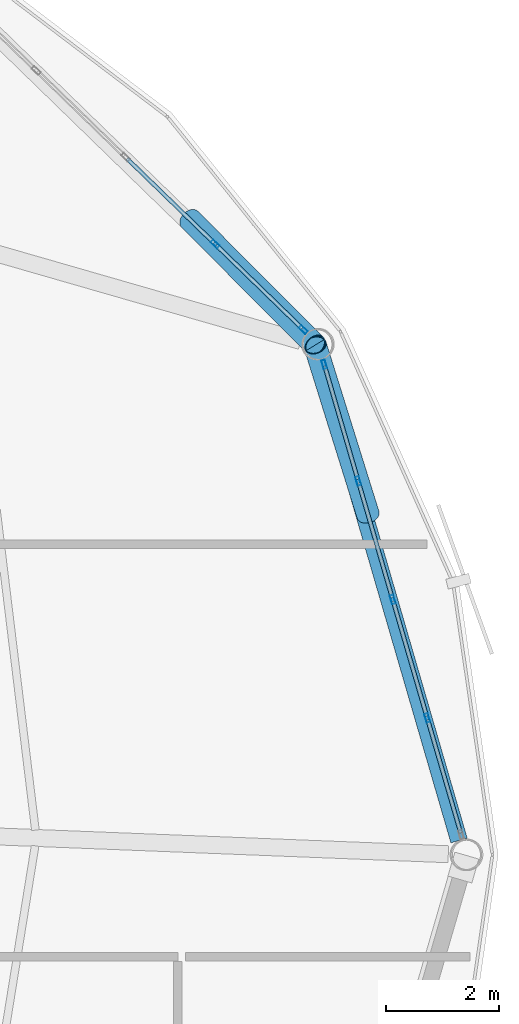
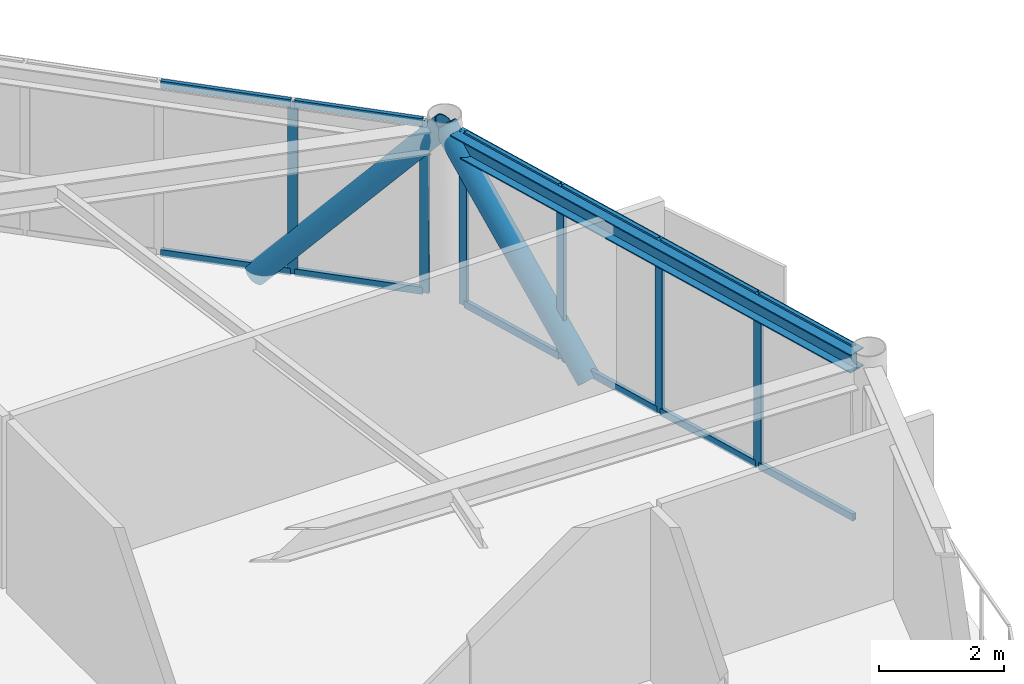
# One storey, part 17 of 27: 20 members, 1 beam, 2 elements without a shape of their own.
"""IFC4 building model written with IfcOpenShell, lengths in metres."""

import ifcopenshell
import ifcopenshell.guid

model = None  # the IFC model being written
_history = None  # IfcOwnerHistory: only IFC2X3 demands one
_inside = {}  # id of a spatial element -> (the spatial element, [elements in it])
_under = {}  # id of a project, library or spatial element -> (it, [spatial elements below it])
_declared = {}  # id of a project -> (the project, [libraries it declares])
_typed = {}  # id of a type object -> (the type object, [elements of that type])
_made_of = {}  # id of a material, layer set ... -> (it, [elements and type objects made of it])


def new_model(schema):
    """Start an empty IFC model of exactly this schema.

    Asked for "IFC4X3", IfcOpenShell would pick the latest addendum, in which some entities
    have other attributes; the version numbers below select the first issue.
    IFC2X3 requires an IfcOwnerHistory on every rooted entity: one is made here for all.
    """
    global model, _history
    if schema == "IFC4X3":
        model = ifcopenshell.file(schema_version=(4, 3, 0, 0))
    else:
        model = ifcopenshell.file(schema=schema)
    _inside.clear()
    _under.clear()
    _declared.clear()
    _typed.clear()
    _made_of.clear()
    _history = None
    if model.schema == "IFC2X3":
        org = make("IfcOrganization", Name="unknown")
        user = make(
            "IfcPersonAndOrganization",
            ThePerson=make("IfcPerson", FamilyName="unknown"),
            TheOrganization=org,
        )
        app = make(
            "IfcApplication",
            ApplicationDeveloper=org,
            Version="unknown",
            ApplicationFullName="unknown",
            ApplicationIdentifier="unknown",
        )
        _history = make(
            "IfcOwnerHistory",
            OwningUser=user,
            OwningApplication=app,
            ChangeAction="ADDED",
            CreationDate=0,
        )
    return model


def make(cls, **values):
    """One entity of the class cls with the attributes given. An attribute that is None is left unset."""
    return model.create_entity(
        cls, **{name: value for name, value in values.items() if value is not None}
    )


def rooted(cls, **values):
    """An entity with a GlobalId (a new one), such as an element, a storey or a relation."""
    return make(cls, GlobalId=ifcopenshell.guid.new(), OwnerHistory=_history, **values)


def si_unit(unit_type, name, prefix=None):
    """IfcSIUnit, for example si_unit("LENGTHUNIT", "METRE", prefix="MILLI")."""
    return make("IfcSIUnit", UnitType=unit_type, Prefix=prefix, Name=name)


def assignment(units):
    """IfcUnitAssignment: the units of a project."""
    return None if units is None else make("IfcUnitAssignment", Units=units)


def point(xyz):
    """IfcCartesianPoint."""
    return None if xyz is None else make("IfcCartesianPoint", Coordinates=xyz)


def direction(xyz):
    """IfcDirection."""
    return None if xyz is None else make("IfcDirection", DirectionRatios=xyz)


def frame(location, z_axis=None, x_axis=None):
    """IfcAxis2Placement3D, a coordinate frame: its origin and axes. An axis left out is left unset."""
    return make(
        "IfcAxis2Placement3D",
        Location=point(location),
        Axis=direction(z_axis),
        RefDirection=direction(x_axis),
    )


def frame_2d(location, x_axis=None):
    """IfcAxis2Placement2D, a coordinate frame in the plane: its origin and x axis."""
    return make(
        "IfcAxis2Placement2D", Location=point(location), RefDirection=direction(x_axis)
    )


def origin():
    """The frame at (0, 0, 0) with its axes left unset."""
    return frame((0.0, 0.0, 0.0))


def origin_2d():
    """The frame at (0, 0) in the plane with its x axis left unset."""
    return frame_2d((0.0, 0.0))


def place(relative_to, where):
    """IfcLocalPlacement: puts the frame where relative to a parent placement (None: the world)."""
    return make(
        "IfcLocalPlacement", PlacementRelTo=relative_to, RelativePlacement=where
    )


def context(
    kind, dimensions, precision=None, world=None, true_north=None, identifier=None
):
    """IfcGeometricRepresentationContext, for example the 3D "Model" context."""
    return make(
        "IfcGeometricRepresentationContext",
        ContextIdentifier=identifier,
        ContextType=kind,
        CoordinateSpaceDimension=dimensions,
        Precision=precision,
        WorldCoordinateSystem=world,
        TrueNorth=true_north,
    )


def subcontext(parent, identifier, kind, view, scale=None):
    """IfcGeometricRepresentationSubContext, for example "Body" below "Model"."""
    return make(
        "IfcGeometricRepresentationSubContext",
        ContextIdentifier=identifier,
        ContextType=kind,
        ParentContext=parent,
        TargetScale=scale,
        TargetView=view,
    )


def project(units=None, contexts=None):
    """IfcProject with its units and contexts."""
    return rooted(
        "IfcProject",
        Name="project",
        RepresentationContexts=contexts,
        UnitsInContext=assignment(units),
    )


def spatial(cls, under=None, at=None, **own):
    """A site, building, storey or space (cls), placed at a placement, below another one or the project."""
    s = rooted(cls, ObjectPlacement=at, **own)
    if under is not None:
        _under.setdefault(under.id(), (under, []))[1].append(s)
    return s


def profile(cls, at=None, kind="AREA", **sizes):
    """A parametric profile (cls). Its sizes go by their IFC names, for example OverallWidth=200.0."""
    return make(cls, ProfileType=kind, Position=at, **sizes)


def hollow_rectangle(**sizes):
    """IfcRectangleHollowProfileDef."""
    return profile("IfcRectangleHollowProfileDef", **sizes)


def hollow_circle(**sizes):
    """IfcCircleHollowProfileDef."""
    return profile("IfcCircleHollowProfileDef", **sizes)


def i_section(**sizes):
    """IfcIShapeProfileDef."""
    return profile("IfcIShapeProfileDef", **sizes)


def extrude(swept, where, along, depth):
    """IfcExtrudedAreaSolid: the profile swept, set in the frame where, extruded along a direction by depth."""
    return make(
        "IfcExtrudedAreaSolid",
        SweptArea=swept,
        Position=where,
        ExtrudedDirection=direction(along),
        Depth=depth,
    )


def shape(context_of_items, identifier, shape_type, items):
    """IfcShapeRepresentation: the items that make up one representation, for example the "Body"."""
    return make(
        "IfcShapeRepresentation",
        ContextOfItems=context_of_items,
        RepresentationIdentifier=identifier,
        RepresentationType=shape_type,
        Items=items,
    )


def material(Name=None, Category=None):
    """IfcMaterial."""
    return make("IfcMaterial", Name=Name, Category=Category)


def layer(
    of_material, thickness, ventilated=None, Name=None, Category=None, Priority=None
):
    """IfcMaterialLayer: one layer of a wall or slab, of a material (None: an air gap)."""
    return make(
        "IfcMaterialLayer",
        Material=of_material,
        LayerThickness=thickness,
        IsVentilated=ventilated,
        Name=Name,
        Category=Category,
        Priority=Priority,
    )


def layer_set(layers, Name=None):
    """IfcMaterialLayerSet."""
    return make("IfcMaterialLayerSet", MaterialLayers=layers, LayerSetName=Name)


def material_profile(
    of_material, cross_section, Name=None, Category=None, Priority=None
):
    """IfcMaterialProfile: a cross section and its material."""
    return make(
        "IfcMaterialProfile",
        Name=Name,
        Material=of_material,
        Profile=cross_section,
        Priority=Priority,
        Category=Category,
    )


def profile_set(profiles, Name=None, composite=None):
    """IfcMaterialProfileSet."""
    return make(
        "IfcMaterialProfileSet",
        Name=Name,
        MaterialProfiles=profiles,
        CompositeProfile=composite,
    )


def made_of(thing, what):
    """Note that an element or type object is made of a material, layer set ...; save() writes the relation."""
    if what is not None:
        _made_of.setdefault(what.id(), (what, []))[1].append(thing)
    return thing


def type_object(cls, material=None, **own):
    """A type object (cls), such as IfcWallType, which elements share."""
    return made_of(rooted(cls, **own), material)


def element(
    cls,
    number,
    at=None,
    inside=None,
    cuts=None,
    type_object=None,
    material=None,
    context=None,
    identifier="Body",
    shape_type=None,
    held_by="IfcProductDefinitionShape",
    body=None,
    shapes=None,
    **own,
):
    """One element of the class cls, such as IfcWall. Its Tag is "e" and its number.

    at: its placement. inside: the storey or other place that contains it. cuts: it is an
    opening in that element (IfcRelVoidsElement). A single representation is given by context,
    identifier, shape_type and body (its items); several are given by shapes. held_by: the class
    of the entity that holds the representations. save() writes the other relations.
    """
    e = rooted(cls, Tag="e%d" % number, ObjectPlacement=at, **own)
    if body is not None:
        shapes = [shape(context, identifier, shape_type, body)]
    if shapes is not None:
        e.Representation = make(held_by, Representations=shapes)
    if inside is not None:
        _inside.setdefault(inside.id(), (inside, []))[1].append(e)
    if cuts is not None:
        rooted(
            "IfcRelVoidsElement", RelatingBuildingElement=cuts, RelatedOpeningElement=e
        )
    if type_object is not None:
        _typed.setdefault(type_object.id(), (type_object, []))[1].append(e)
    return made_of(e, material)


def aggregate(whole, parts):
    """IfcRelAggregates: a whole, such as a stair, and the parts it consists of."""
    return rooted("IfcRelAggregates", RelatingObject=whole, RelatedObjects=parts)


def save(model, path):
    """Write the relations noted so far, then the file.

    IfcRelAggregates (storeys below a building ...), IfcRelContainedInSpatialStructure (elements
    in a storey), IfcRelDefinesByType, IfcRelAssociatesMaterial and IfcRelDeclares: one each for
    every whole, place, type object, material and project.
    """
    for whole, parts in _under.values():
        aggregate(whole, parts)
    for where, things in _inside.values():
        rooted(
            "IfcRelContainedInSpatialStructure",
            RelatedElements=things,
            RelatingStructure=where,
        )
    for kind, things in _typed.values():
        rooted("IfcRelDefinesByType", RelatedObjects=things, RelatingType=kind)
    for what, things in _made_of.values():
        rooted("IfcRelAssociatesMaterial", RelatedObjects=things, RelatingMaterial=what)
    for by, libraries in _declared.values():
        rooted("IfcRelDeclares", RelatingContext=by, RelatedDefinitions=libraries)
    model.write(path)


model = new_model("IFC4")

# Units and contexts
model_context = context("Model", 3, precision=1e-05, world=origin(), true_north=direction((0.0, 1.0)))
body_context = subcontext(model_context, "Body", "Model", "MODEL_VIEW")
ifc_project = project(units=[si_unit("LENGTHUNIT", "METRE"), si_unit("AREAUNIT", "SQUARE_METRE"), si_unit("VOLUMEUNIT", "CUBIC_METRE"), si_unit("PLANEANGLEUNIT", "RADIAN"), si_unit("MASSUNIT", "GRAM", prefix="KILO")], contexts=[model_context])

# Site, building, storey
site_placement = place(None, origin())
site = spatial("IfcSite", under=ifc_project, at=site_placement, CompositionType="ELEMENT")
building_placement = place(site_placement, origin())
building = spatial("IfcBuilding", under=site, at=building_placement, Name="Varnakorn Sky Granary", CompositionType="ELEMENT")
storey_placement = place(building_placement, frame((0.0, 0.0, 232.800048828125)))
storey = spatial("IfcBuildingStorey", under=building, at=storey_placement, Name="L59", CompositionType="ELEMENT", Elevation=232.800048828125)

# Beam
ifc_material_1 = material(Name="Steel S355JR", Category="steel")
ifc_material_profile_1 = material_profile(ifc_material_1, i_section(OverallWidth=0.300048828125, OverallDepth=0.360107421875, WebThickness=0.012451171875, FlangeThickness=0.0224609375, at=origin_2d()), Name="HE 360 B")
ifc_profile_set_1 = profile_set([ifc_material_profile_1], Name="Steel S355JR")
beam_type = type_object("IfcBeamType", Name="BM-SPD-Z5", PredefinedType="SPANDREL", material=ifc_profile_set_1)
beam_placement = place(storey_placement, frame((23.47412109375, 0.25390625, 3.179931640625), z_axis=(-0.279152699023, 0.960246723831, 0.0), x_axis=(-0.960246723831, -0.279152699023, 0.0)))
element("IfcBeam", 1, at=beam_placement, inside=storey, type_object=beam_type, Name="Perimeter Spandrel Ring Beam RB01 L59", PredefinedType="SPANDREL", context=body_context, shape_type="SweptSolid", body=[
    extrude(i_section(OverallWidth=0.300048828125, OverallDepth=0.360107421875, WebThickness=0.012451171875, FlangeThickness=0.0224609375, at=origin_2d()), origin(), (0.0, 0.0, 1.0), 8.86376953125),
])

# Curtain wall, members
ifc_material_2 = material(Name="Anodised Bronze Aluminium Alloy 6063-T6", Category="aluminium")
ifc_layer = layer(ifc_material_2, 0.169921875, Name="Anodised Bronze Aluminium Alloy 6063-T6")
ifc_layer_set = layer_set([ifc_layer], Name="Anodised Bronze Aluminium Alloy 6063-T6")
curtain_wall_type = type_object("IfcCurtainWallType", Name="CW-LAB-1", PredefinedType="USERDEFINED", material=ifc_layer_set)
curtain_wall_1_placement = place(storey_placement, origin())
curtain_wall_1 = element("IfcCurtainWall", 2, at=curtain_wall_1_placement, inside=storey, type_object=curtain_wall_type, Name="Unitised Curtain Wall CW5 CW-L59-B01", ObjectType="CURTAIN WALL", PredefinedType="USERDEFINED")
ifc_material_profile_2 = material_profile(ifc_material_2, hollow_rectangle(XDim=0.06494140625, YDim=0.159912109375, WallThickness=0.00341796875, at=origin_2d()), Name="ALU MULL 65x160")
ifc_profile_set_2 = profile_set([ifc_material_profile_2], Name="Anodised Bronze Aluminium Alloy 6063-T6")
member_type_1 = type_object("IfcMemberType", Name="CW-LAB-1-MULL", PredefinedType="MULLION", material=ifc_profile_set_2)
member_1_placement = place(storey_placement, frame((21.0888671875, 8.67919921875, 0.0), z_axis=(0.0, 0.0, 1.0), x_axis=(0.960128537246, 0.27955892396, 0.0)))
member_1 = element("IfcMember", 3, at=member_1_placement, type_object=member_type_1, Name="CW5 mullion 1", PredefinedType="MULLION", context=body_context, shape_type="SweptSolid", body=[
    extrude(hollow_rectangle(XDim=0.06494140625, YDim=0.159912109375, WallThickness=0.00341796875, at=origin_2d()), origin(), (0.0, 0.0, 1.0), 3.35986328125),
])
member_2_placement = place(storey_placement, frame((21.690185546875, 6.6142578125, 0.0), z_axis=(0.0, 0.0, 1.0), x_axis=(0.960128537246, 0.27955892396, 0.0)))
member_2 = element("IfcMember", 4, at=member_2_placement, type_object=member_type_1, Name="CW5 mullion 2", PredefinedType="MULLION", context=body_context, shape_type="SweptSolid", body=[
    extrude(hollow_rectangle(XDim=0.06494140625, YDim=0.159912109375, WallThickness=0.00341796875, at=origin_2d()), origin(), (0.0, 0.0, 1.0), 3.35986328125),
])
member_3_placement = place(storey_placement, frame((22.300537109375, 4.518310546875, 0.0), z_axis=(0.0, 0.0, 1.0), x_axis=(0.960128537246, 0.27955892396, 0.0)))
member_3 = element("IfcMember", 5, at=member_3_placement, type_object=member_type_1, Name="CW5 mullion 3", PredefinedType="MULLION", context=body_context, shape_type="SweptSolid", body=[
    extrude(hollow_rectangle(XDim=0.06494140625, YDim=0.159912109375, WallThickness=0.00341796875, at=origin_2d()), origin(), (0.0, 0.0, 1.0), 3.35986328125),
])
member_4_placement = place(storey_placement, frame((22.910888671875, 2.422119140625, 0.0), z_axis=(0.0, 0.0, 1.0), x_axis=(0.960128537246, 0.27955892396, 0.0)))
member_4 = element("IfcMember", 6, at=member_4_placement, type_object=member_type_1, Name="CW5 mullion 4", PredefinedType="MULLION", context=body_context, shape_type="SweptSolid", body=[
    extrude(hollow_rectangle(XDim=0.06494140625, YDim=0.159912109375, WallThickness=0.00341796875, at=origin_2d()), origin(), (0.0, 0.0, 1.0), 3.35986328125),
])

curtain_wall_2_placement = place(storey_placement, origin())
curtain_wall_2 = element("IfcCurtainWall", 7, at=curtain_wall_2_placement, inside=storey, type_object=curtain_wall_type, Name="Unitised Curtain Wall CW5 CW-L59-B02", ObjectType="CURTAIN WALL", PredefinedType="USERDEFINED")
member_5_placement = place(storey_placement, frame((19.158203125, 10.80859375, 0.0), z_axis=(0.0, 0.0, 1.0), x_axis=(0.696278954574, 0.717771284893, 0.0)))
member_5 = element("IfcMember", 8, at=member_5_placement, type_object=member_type_1, Name="CW5 mullion 4", PredefinedType="MULLION", context=body_context, shape_type="SweptSolid", body=[
    extrude(hollow_rectangle(XDim=0.06494140625, YDim=0.159912109375, WallThickness=0.00341796875, at=origin_2d()), origin(), (0.0, 0.0, 1.0), 3.35986328125),
])
member_6_placement = place(storey_placement, frame((20.7177734375, 9.29541015625, 0.0), z_axis=(0.0, 0.0, 1.0), x_axis=(0.696278954574, 0.717771284893, 0.0)))
member_6 = element("IfcMember", 9, at=member_6_placement, type_object=member_type_1, Name="CW5 mullion 5", PredefinedType="MULLION", context=body_context, shape_type="SweptSolid", body=[
    extrude(hollow_rectangle(XDim=0.06494140625, YDim=0.159912109375, WallThickness=0.00341796875, at=origin_2d()), origin(), (0.0, 0.0, 1.0), 3.35986328125),
])

# Member
ifc_material_profile_3 = material_profile(ifc_material_2, hollow_rectangle(XDim=0.070068359375, YDim=0.139892578125, WallThickness=0.00341796875, at=origin_2d()), Name="ALU TRAN 70x140")
ifc_profile_set_3 = profile_set([ifc_material_profile_3], Name="Anodised Bronze Aluminium Alloy 6063-T6")
member_type_2 = type_object("IfcMemberType", Name="CW-LAB-1-TRAN", PredefinedType="USERDEFINED", material=ifc_profile_set_3)
member_7_placement = place(storey_placement, frame((21.097900390625, 8.648193359375, 0.034912109375), z_axis=(0.279617946445, -0.960111349806, 0.0), x_axis=(0.960111349806, 0.279617946445, 0.0)))
member_7 = element("IfcMember", 10, at=member_7_placement, type_object=member_type_2, Name="CW5 transom 1.1", ObjectType="TRANSOM", PredefinedType="USERDEFINED", context=body_context, shape_type="SweptSolid", body=[
    extrude(hollow_rectangle(XDim=0.070068359375, YDim=0.139892578125, WallThickness=0.00341796875, at=origin_2d()), origin(), (0.0, 0.0, 1.0), 2.0859375),
])

member_8_placement = place(storey_placement, frame((21.097900390625, 8.648193359375, 3.324951171875), z_axis=(0.279617946445, -0.960111349806, 0.0), x_axis=(0.960111349806, 0.279617946445, 0.0)))
member_8 = element("IfcMember", 11, at=member_8_placement, type_object=member_type_2, Name="CW5 transom 1.2", ObjectType="TRANSOM", PredefinedType="USERDEFINED", context=body_context, shape_type="SweptSolid", body=[
    extrude(hollow_rectangle(XDim=0.070068359375, YDim=0.139892578125, WallThickness=0.00341796875, at=origin_2d()), origin(), (0.0, 0.0, 1.0), 2.0859375),
])

member_9_placement = place(storey_placement, frame((21.69921875, 6.583251953125, 0.034912109375), z_axis=(0.279513092526, -0.960141880717, 0.0), x_axis=(0.960141880717, 0.279513092526, 0.0)))
member_9 = element("IfcMember", 12, at=member_9_placement, type_object=member_type_2, Name="CW5 transom 2.1", ObjectType="TRANSOM", PredefinedType="USERDEFINED", context=body_context, shape_type="SweptSolid", body=[
    extrude(hollow_rectangle(XDim=0.070068359375, YDim=0.139892578125, WallThickness=0.00341796875, at=origin_2d()), origin(), (0.0, 0.0, 1.0), 2.1181640625),
])

member_10_placement = place(storey_placement, frame((21.69921875, 6.583251953125, 3.324951171875), z_axis=(0.279513092526, -0.960141880717, 0.0), x_axis=(0.960141880717, 0.279513092526, 0.0)))
member_10 = element("IfcMember", 13, at=member_10_placement, type_object=member_type_2, Name="CW5 transom 2.2", ObjectType="TRANSOM", PredefinedType="USERDEFINED", context=body_context, shape_type="SweptSolid", body=[
    extrude(hollow_rectangle(XDim=0.070068359375, YDim=0.139892578125, WallThickness=0.00341796875, at=origin_2d()), origin(), (0.0, 0.0, 1.0), 2.1181640625),
])

member_11_placement = place(storey_placement, frame((22.3095703125, 4.487060546875, 0.034912109375), z_axis=(0.279513092526, -0.960141880717, 0.0), x_axis=(0.960141880717, 0.279513092526, 0.0)))
member_11 = element("IfcMember", 14, at=member_11_placement, type_object=member_type_2, Name="CW5 transom 3.1", ObjectType="TRANSOM", PredefinedType="USERDEFINED", context=body_context, shape_type="SweptSolid", body=[
    extrude(hollow_rectangle(XDim=0.070068359375, YDim=0.139892578125, WallThickness=0.00341796875, at=origin_2d()), origin(), (0.0, 0.0, 1.0), 2.1181640625),
])

member_12_placement = place(storey_placement, frame((22.3095703125, 4.487060546875, 3.324951171875), z_axis=(0.279513092526, -0.960141880717, 0.0), x_axis=(0.960141880717, 0.279513092526, 0.0)))
member_12 = element("IfcMember", 15, at=member_12_placement, type_object=member_type_2, Name="CW5 transom 3.2", ObjectType="TRANSOM", PredefinedType="USERDEFINED", context=body_context, shape_type="SweptSolid", body=[
    extrude(hollow_rectangle(XDim=0.070068359375, YDim=0.139892578125, WallThickness=0.00341796875, at=origin_2d()), origin(), (0.0, 0.0, 1.0), 2.1181640625),
])

member_13_placement = place(storey_placement, frame((22.919921875, 2.390869140625, 0.034912109375), z_axis=(0.279541463875, -0.960133620896, 0.0), x_axis=(0.960133620896, 0.279541463875, 0.0)))
member_13 = element("IfcMember", 16, at=member_13_placement, type_object=member_type_2, Name="CW5 transom 4.1", ObjectType="TRANSOM", PredefinedType="USERDEFINED", context=body_context, shape_type="SweptSolid", body=[
    extrude(hollow_rectangle(XDim=0.070068359375, YDim=0.139892578125, WallThickness=0.00341796875, at=origin_2d()), origin(), (0.0, 0.0, 1.0), 2.085693359375),
])

member_14_placement = place(storey_placement, frame((22.919921875, 2.390869140625, 3.324951171875), z_axis=(0.279541463875, -0.960133620896, 0.0), x_axis=(0.960133620896, 0.279541463875, 0.0)))
member_14 = element("IfcMember", 17, at=member_14_placement, type_object=member_type_2, Name="CW5 transom 4.2", ObjectType="TRANSOM", PredefinedType="USERDEFINED", context=body_context, shape_type="SweptSolid", body=[
    extrude(hollow_rectangle(XDim=0.070068359375, YDim=0.139892578125, WallThickness=0.00341796875, at=origin_2d()), origin(), (0.0, 0.0, 1.0), 2.085693359375),
])

aggregate(curtain_wall_1, [member_1, member_2, member_3, member_4, member_7, member_8, member_9, member_10, member_11, member_12, member_13, member_14])

member_15_placement = place(storey_placement, frame((17.5986328125, 12.321533203125, 0.034912109375), z_axis=(0.717691342535, -0.696361355082, 0.0), x_axis=(0.696361355082, 0.717691342535, 0.0)))
member_15 = element("IfcMember", 18, at=member_15_placement, type_object=member_type_2, Name="CW5 transom 3.1", ObjectType="TRANSOM", PredefinedType="USERDEFINED", context=body_context, shape_type="SweptSolid", body=[
    extrude(hollow_rectangle(XDim=0.070068359375, YDim=0.139892578125, WallThickness=0.00341796875, at=origin_2d()), origin(), (0.0, 0.0, 1.0), 2.140380859375),
])

member_16_placement = place(storey_placement, frame((17.5986328125, 12.321533203125, 3.324951171875), z_axis=(0.717691342535, -0.696361355082, 0.0), x_axis=(0.696361355082, 0.717691342535, 0.0)))
member_16 = element("IfcMember", 19, at=member_16_placement, type_object=member_type_2, Name="CW5 transom 3.2", ObjectType="TRANSOM", PredefinedType="USERDEFINED", context=body_context, shape_type="SweptSolid", body=[
    extrude(hollow_rectangle(XDim=0.070068359375, YDim=0.139892578125, WallThickness=0.00341796875, at=origin_2d()), origin(), (0.0, 0.0, 1.0), 2.140380859375),
])

member_17_placement = place(storey_placement, frame((19.181640625, 10.785888671875, 0.034912109375), z_axis=(0.717739003955, -0.696312230398, 0.0), x_axis=(0.696312230398, 0.717739003955, 0.0)))
member_17 = element("IfcMember", 20, at=member_17_placement, type_object=member_type_2, Name="CW5 transom 4.1", ObjectType="TRANSOM", PredefinedType="USERDEFINED", context=body_context, shape_type="SweptSolid", body=[
    extrude(hollow_rectangle(XDim=0.070068359375, YDim=0.139892578125, WallThickness=0.00341796875, at=origin_2d()), origin(), (0.0, 0.0, 1.0), 2.10791015625),
])

member_18_placement = place(storey_placement, frame((19.181640625, 10.785888671875, 3.324951171875), z_axis=(0.717739003955, -0.696312230398, 0.0), x_axis=(0.696312230398, 0.717739003955, 0.0)))
member_18 = element("IfcMember", 21, at=member_18_placement, type_object=member_type_2, Name="CW5 transom 4.2", ObjectType="TRANSOM", PredefinedType="USERDEFINED", context=body_context, shape_type="SweptSolid", body=[
    extrude(hollow_rectangle(XDim=0.070068359375, YDim=0.139892578125, WallThickness=0.00341796875, at=origin_2d()), origin(), (0.0, 0.0, 1.0), 2.10791015625),
])

aggregate(curtain_wall_2, [member_5, member_6, member_15, member_16, member_17, member_18])

# Members
ifc_material_3 = material(Name="Steel S460M", Category="steel")
ifc_material_profile_4 = material_profile(ifc_material_3, hollow_circle(Radius=0.203125, WallThickness=0.01611328125, at=origin_2d()), Name="CHS 406.4x16")
ifc_profile_set_4 = profile_set([ifc_material_profile_4], Name="Steel S460M")
member_type_3 = type_object("IfcMemberType", Name="MB-DIAG-T4", PredefinedType="BRACE", material=ifc_profile_set_4)
member_19_placement = place(storey_placement, frame((21.86181640625, 6.0244140625, -0.130126953125), z_axis=(-0.199391427738, 0.638177415991, 0.743621304336), x_axis=(-0.954496589458, -0.298221831382, 0.0)))
element("IfcMember", 22, at=member_19_placement, inside=storey, type_object=member_type_3, Name="Perimeter CHS Diagrid Brace DG01 L59", PredefinedType="BRACE", context=body_context, shape_type="SweptSolid", body=[
    extrude(hollow_circle(Radius=0.203125, WallThickness=0.01611328125, at=origin_2d()), origin(), (0.0, 0.0, 1.0), 4.693115234375),
])
member_20_placement = place(storey_placement, frame((18.7119140625, 11.24169921875, -0.130126953125), z_axis=(0.471831935583, -0.473548823209, 0.743724503161), x_axis=(0.708389775885, 0.705821454351, 0.0)))
element("IfcMember", 23, at=member_20_placement, inside=storey, type_object=member_type_3, Name="Perimeter CHS Diagrid Brace DG02 L59", PredefinedType="BRACE", context=body_context, shape_type="SweptSolid", body=[
    extrude(hollow_circle(Radius=0.203125, WallThickness=0.01611328125, at=origin_2d()), origin(), (0.0, 0.0, 1.0), 4.692626953125),
])

save(model, "model.ifc")
